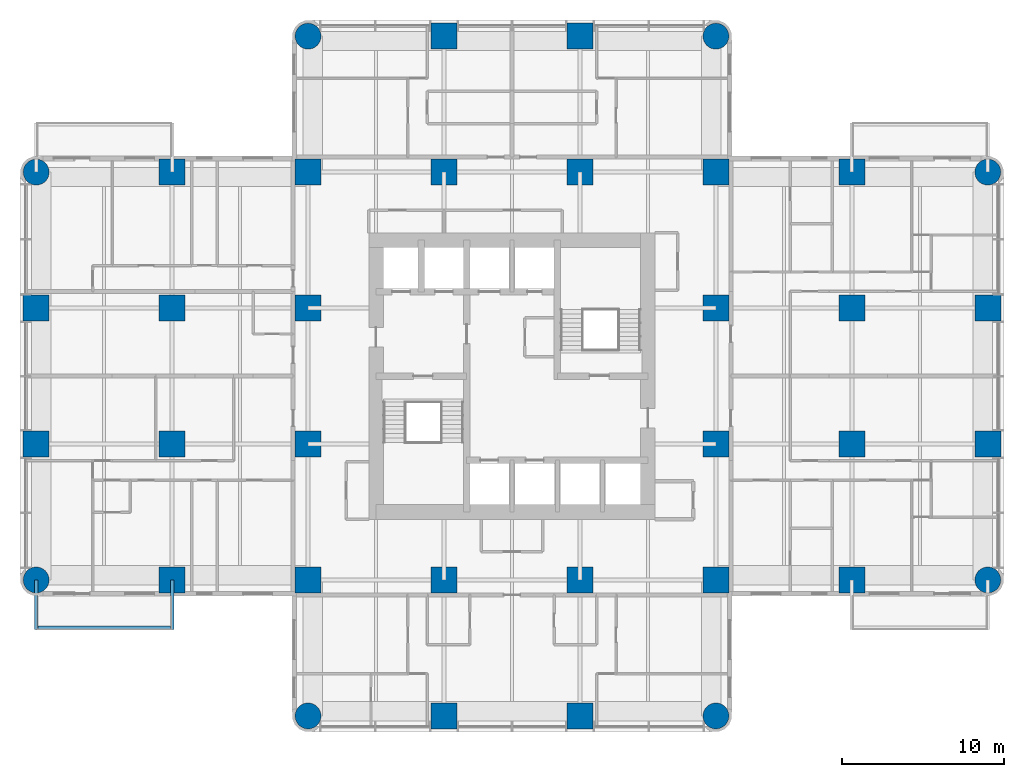
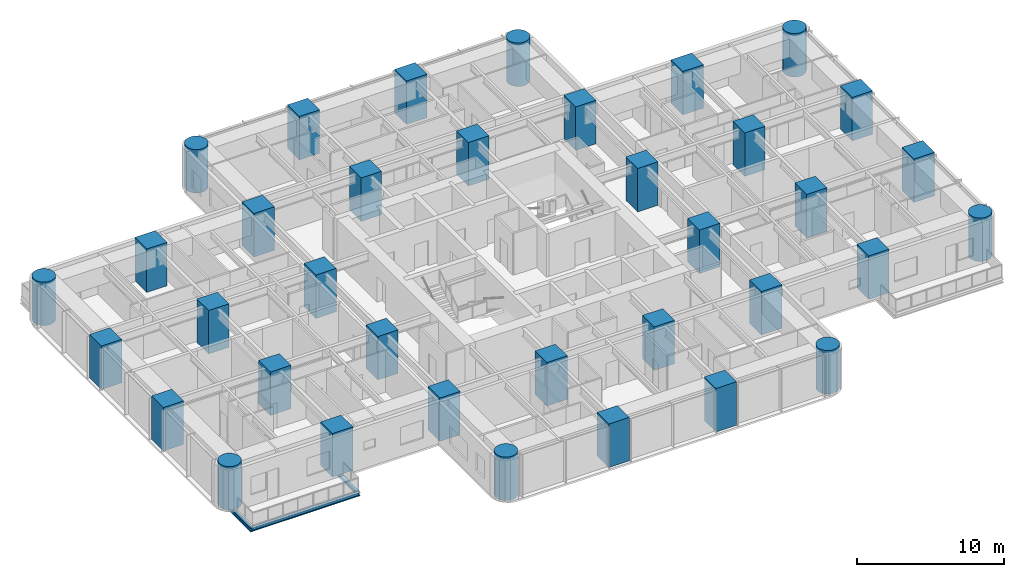
# One storey, part 1 of 15: 36 columns, 3 beams.
"""IFC4 building model written with IfcOpenShell, lengths in metres."""

import ifcopenshell
import ifcopenshell.guid

model = None  # the IFC model being written
_history = None  # IfcOwnerHistory: only IFC2X3 demands one
_inside = {}  # id of a spatial element -> (the spatial element, [elements in it])
_under = {}  # id of a project, library or spatial element -> (it, [spatial elements below it])
_declared = {}  # id of a project -> (the project, [libraries it declares])
_typed = {}  # id of a type object -> (the type object, [elements of that type])
_made_of = {}  # id of a material, layer set ... -> (it, [elements and type objects made of it])


def new_model(schema):
    """Start an empty IFC model of exactly this schema.

    Asked for "IFC4X3", IfcOpenShell would pick the latest addendum, in which some entities
    have other attributes; the version numbers below select the first issue.
    IFC2X3 requires an IfcOwnerHistory on every rooted entity: one is made here for all.
    """
    global model, _history
    if schema == "IFC4X3":
        model = ifcopenshell.file(schema_version=(4, 3, 0, 0))
    else:
        model = ifcopenshell.file(schema=schema)
    _inside.clear()
    _under.clear()
    _declared.clear()
    _typed.clear()
    _made_of.clear()
    _history = None
    if model.schema == "IFC2X3":
        org = make("IfcOrganization", Name="unknown")
        user = make(
            "IfcPersonAndOrganization",
            ThePerson=make("IfcPerson", FamilyName="unknown"),
            TheOrganization=org,
        )
        app = make(
            "IfcApplication",
            ApplicationDeveloper=org,
            Version="unknown",
            ApplicationFullName="unknown",
            ApplicationIdentifier="unknown",
        )
        _history = make(
            "IfcOwnerHistory",
            OwningUser=user,
            OwningApplication=app,
            ChangeAction="ADDED",
            CreationDate=0,
        )
    return model


def make(cls, **values):
    """One entity of the class cls with the attributes given. An attribute that is None is left unset."""
    return model.create_entity(
        cls, **{name: value for name, value in values.items() if value is not None}
    )


def rooted(cls, **values):
    """An entity with a GlobalId (a new one), such as an element, a storey or a relation."""
    return make(cls, GlobalId=ifcopenshell.guid.new(), OwnerHistory=_history, **values)


def si_unit(unit_type, name, prefix=None):
    """IfcSIUnit, for example si_unit("LENGTHUNIT", "METRE", prefix="MILLI")."""
    return make("IfcSIUnit", UnitType=unit_type, Prefix=prefix, Name=name)


def assignment(units):
    """IfcUnitAssignment: the units of a project."""
    return None if units is None else make("IfcUnitAssignment", Units=units)


def point(xyz):
    """IfcCartesianPoint."""
    return None if xyz is None else make("IfcCartesianPoint", Coordinates=xyz)


def direction(xyz):
    """IfcDirection."""
    return None if xyz is None else make("IfcDirection", DirectionRatios=xyz)


def frame(location, z_axis=None, x_axis=None):
    """IfcAxis2Placement3D, a coordinate frame: its origin and axes. An axis left out is left unset."""
    return make(
        "IfcAxis2Placement3D",
        Location=point(location),
        Axis=direction(z_axis),
        RefDirection=direction(x_axis),
    )


def frame_2d(location, x_axis=None):
    """IfcAxis2Placement2D, a coordinate frame in the plane: its origin and x axis."""
    return make(
        "IfcAxis2Placement2D", Location=point(location), RefDirection=direction(x_axis)
    )


def origin():
    """The frame at (0, 0, 0) with its axes left unset."""
    return frame((0.0, 0.0, 0.0))


def origin_2d():
    """The frame at (0, 0) in the plane with its x axis left unset."""
    return frame_2d((0.0, 0.0))


def place(relative_to, where):
    """IfcLocalPlacement: puts the frame where relative to a parent placement (None: the world)."""
    return make(
        "IfcLocalPlacement", PlacementRelTo=relative_to, RelativePlacement=where
    )


def context(
    kind, dimensions, precision=None, world=None, true_north=None, identifier=None
):
    """IfcGeometricRepresentationContext, for example the 3D "Model" context."""
    return make(
        "IfcGeometricRepresentationContext",
        ContextIdentifier=identifier,
        ContextType=kind,
        CoordinateSpaceDimension=dimensions,
        Precision=precision,
        WorldCoordinateSystem=world,
        TrueNorth=true_north,
    )


def subcontext(parent, identifier, kind, view, scale=None):
    """IfcGeometricRepresentationSubContext, for example "Body" below "Model"."""
    return make(
        "IfcGeometricRepresentationSubContext",
        ContextIdentifier=identifier,
        ContextType=kind,
        ParentContext=parent,
        TargetScale=scale,
        TargetView=view,
    )


def project(units=None, contexts=None):
    """IfcProject with its units and contexts."""
    return rooted(
        "IfcProject",
        Name="project",
        RepresentationContexts=contexts,
        UnitsInContext=assignment(units),
    )


def spatial(cls, under=None, at=None, **own):
    """A site, building, storey or space (cls), placed at a placement, below another one or the project."""
    s = rooted(cls, ObjectPlacement=at, **own)
    if under is not None:
        _under.setdefault(under.id(), (under, []))[1].append(s)
    return s


def profile(cls, at=None, kind="AREA", **sizes):
    """A parametric profile (cls). Its sizes go by their IFC names, for example OverallWidth=200.0."""
    return make(cls, ProfileType=kind, Position=at, **sizes)


def rectangle(**sizes):
    """IfcRectangleProfileDef."""
    return profile("IfcRectangleProfileDef", **sizes)


def circle(**sizes):
    """IfcCircleProfileDef."""
    return profile("IfcCircleProfileDef", **sizes)


def i_section(**sizes):
    """IfcIShapeProfileDef."""
    return profile("IfcIShapeProfileDef", **sizes)


def extrude(swept, where, along, depth):
    """IfcExtrudedAreaSolid: the profile swept, set in the frame where, extruded along a direction by depth."""
    return make(
        "IfcExtrudedAreaSolid",
        SweptArea=swept,
        Position=where,
        ExtrudedDirection=direction(along),
        Depth=depth,
    )


def shape(context_of_items, identifier, shape_type, items):
    """IfcShapeRepresentation: the items that make up one representation, for example the "Body"."""
    return make(
        "IfcShapeRepresentation",
        ContextOfItems=context_of_items,
        RepresentationIdentifier=identifier,
        RepresentationType=shape_type,
        Items=items,
    )


def material(Name=None, Category=None):
    """IfcMaterial."""
    return make("IfcMaterial", Name=Name, Category=Category)


def material_profile(
    of_material, cross_section, Name=None, Category=None, Priority=None
):
    """IfcMaterialProfile: a cross section and its material."""
    return make(
        "IfcMaterialProfile",
        Name=Name,
        Material=of_material,
        Profile=cross_section,
        Priority=Priority,
        Category=Category,
    )


def profile_set(profiles, Name=None, composite=None):
    """IfcMaterialProfileSet."""
    return make(
        "IfcMaterialProfileSet",
        Name=Name,
        MaterialProfiles=profiles,
        CompositeProfile=composite,
    )


def made_of(thing, what):
    """Note that an element or type object is made of a material, layer set ...; save() writes the relation."""
    if what is not None:
        _made_of.setdefault(what.id(), (what, []))[1].append(thing)
    return thing


def type_object(cls, material=None, **own):
    """A type object (cls), such as IfcWallType, which elements share."""
    return made_of(rooted(cls, **own), material)


def element(
    cls,
    number,
    at=None,
    inside=None,
    cuts=None,
    type_object=None,
    material=None,
    context=None,
    identifier="Body",
    shape_type=None,
    held_by="IfcProductDefinitionShape",
    body=None,
    shapes=None,
    **own,
):
    """One element of the class cls, such as IfcWall. Its Tag is "e" and its number.

    at: its placement. inside: the storey or other place that contains it. cuts: it is an
    opening in that element (IfcRelVoidsElement). A single representation is given by context,
    identifier, shape_type and body (its items); several are given by shapes. held_by: the class
    of the entity that holds the representations. save() writes the other relations.
    """
    e = rooted(cls, Tag="e%d" % number, ObjectPlacement=at, **own)
    if body is not None:
        shapes = [shape(context, identifier, shape_type, body)]
    if shapes is not None:
        e.Representation = make(held_by, Representations=shapes)
    if inside is not None:
        _inside.setdefault(inside.id(), (inside, []))[1].append(e)
    if cuts is not None:
        rooted(
            "IfcRelVoidsElement", RelatingBuildingElement=cuts, RelatedOpeningElement=e
        )
    if type_object is not None:
        _typed.setdefault(type_object.id(), (type_object, []))[1].append(e)
    return made_of(e, material)


def aggregate(whole, parts):
    """IfcRelAggregates: a whole, such as a stair, and the parts it consists of."""
    return rooted("IfcRelAggregates", RelatingObject=whole, RelatedObjects=parts)


def save(model, path):
    """Write the relations noted so far, then the file.

    IfcRelAggregates (storeys below a building ...), IfcRelContainedInSpatialStructure (elements
    in a storey), IfcRelDefinesByType, IfcRelAssociatesMaterial and IfcRelDeclares: one each for
    every whole, place, type object, material and project.
    """
    for whole, parts in _under.values():
        aggregate(whole, parts)
    for where, things in _inside.values():
        rooted(
            "IfcRelContainedInSpatialStructure",
            RelatedElements=things,
            RelatingStructure=where,
        )
    for kind, things in _typed.values():
        rooted("IfcRelDefinesByType", RelatedObjects=things, RelatingType=kind)
    for what, things in _made_of.values():
        rooted("IfcRelAssociatesMaterial", RelatedObjects=things, RelatingMaterial=what)
    for by, libraries in _declared.values():
        rooted("IfcRelDeclares", RelatingContext=by, RelatedDefinitions=libraries)
    model.write(path)


model = new_model("IFC4")

# Units and contexts
model_context = context("Model", 3, precision=1e-05, world=origin(), true_north=direction((0.0, 1.0)))
body_context = subcontext(model_context, "Body", "Model", "MODEL_VIEW")
ifc_project = project(units=[si_unit("LENGTHUNIT", "METRE"), si_unit("AREAUNIT", "SQUARE_METRE"), si_unit("VOLUMEUNIT", "CUBIC_METRE"), si_unit("PLANEANGLEUNIT", "RADIAN"), si_unit("MASSUNIT", "GRAM", prefix="KILO")], contexts=[model_context])

# Site, building, storey
site_placement = place(None, origin())
site = spatial("IfcSite", under=ifc_project, at=site_placement, CompositionType="ELEMENT")
building_placement = place(site_placement, origin())
building = spatial("IfcBuilding", under=site, at=building_placement, Name="Torre Alcanfor", CompositionType="ELEMENT")
storey_placement = place(building_placement, frame((0.0, 0.0, 119.699951171875)))
storey = spatial("IfcBuildingStorey", under=building, at=storey_placement, Name="L30", CompositionType="ELEMENT", Elevation=119.699951171875)

# Columns
ifc_material_1 = material(Name="Concrete f'c 70 MPa", Category="concrete")
ifc_material_profile_1 = material_profile(ifc_material_1, rectangle(XDim=1.60009765625, YDim=1.60009765625, at=origin_2d()), Name="1600x1600")
ifc_profile_set_1 = profile_set([ifc_material_profile_1], Name="Concrete f'c 70 MPa")
column_type_1 = type_object("IfcColumnType", Name="RC column 1600x1600 f'c70", PredefinedType="COLUMN", material=ifc_profile_set_1)
for number, where, z_axis, x_axis, name in (
    (1, (0.0, 25.199951171875, 0.0), (0.0, 0.0, 1.0), (1.0, 0.0, 0.0), "Column 1/F L30"),
    (2, (0.0, 33.60009765625, 0.0), (0.0, 0.0, 1.0), (1.0, 0.0, 0.0), "Column 1/G L30"),
    (3, (8.39990234375, 16.800048828125, 0.0), (0.0, 0.0, 1.0), (1.0, 0.0, 0.0), "Column 2/E L30"),
    (4, (8.39990234375, 25.199951171875, 0.0), (0.0, 0.0, 1.0), (1.0, 0.0, 0.0), "Column 2/F L30"),
    (5, (8.39990234375, 33.60009765625, 0.0), (0.0, 0.0, 1.0), (1.0, 0.0, 0.0), "Column 2/G L30"),
    (6, (8.39990234375, 42.0, 0.0), (0.0, 0.0, 1.0), (1.0, 0.0, 0.0), "Column 2/H L30"),
    (7, (16.800048828125, 16.800048828125, 0.0), (0.0, 0.0, 1.0), (1.0, 0.0, 0.0), "Column 3/E L30"),
    (8, (16.800048828125, 25.199951171875, 0.0), (0.0, 0.0, 1.0), (1.0, 0.0, 0.0), "Column 3/F L30"),
    (9, (16.800048828125, 33.60009765625, 0.0), (0.0, 0.0, 1.0), (1.0, 0.0, 0.0), "Column 3/G L30"),
    (10, (16.800048828125, 42.0, 0.0), (0.0, 0.0, 1.0), (1.0, 0.0, 0.0), "Column 3/H L30"),
    (11, (25.199951171875, 8.39990234375, 0.0), (0.0, 0.0, 1.0), (1.0, 0.0, 0.0), "Column 4/D L30"),
    (12, (25.199951171875, 16.800048828125, 0.0), (0.0, 0.0, 1.0), (1.0, 0.0, 0.0), "Column 4/E L30"),
    (13, (25.199951171875, 42.0, 0.0), (0.0, 0.0, 1.0), (1.0, 0.0, 0.0), "Column 4/H L30"),
    (14, (25.199951171875, 50.39990234375, 0.0), (0.0, 0.0, 1.0), (1.0, 0.0, 0.0), "Column 4/J L30"),
    (15, (33.60009765625, 8.39990234375, 0.0), (0.0, 0.0, 1.0), (1.0, 0.0, 0.0), "Column 5/D L30"),
    (16, (33.60009765625, 16.800048828125, 0.0), (0.0, 0.0, 1.0), (1.0, 0.0, 0.0), "Column 5/E L30"),
    (17, (33.60009765625, 42.0, 0.0), (0.0, 0.0, 1.0), (1.0, 0.0, 0.0), "Column 5/H L30"),
    (18, (33.60009765625, 50.39990234375, 0.0), (0.0, 0.0, 1.0), (1.0, 0.0, 0.0), "Column 5/J L30"),
    (19, (42.0, 16.800048828125, 0.0), (0.0, 0.0, 1.0), (1.0, 0.0, 0.0), "Column 6/E L30"),
    (20, (42.0, 25.199951171875, 0.0), (0.0, 0.0, 1.0), (1.0, 0.0, 0.0), "Column 6/F L30"),
    (21, (42.0, 33.60009765625, 0.0), (0.0, 0.0, 1.0), (1.0, 0.0, 0.0), "Column 6/G L30"),
    (22, (42.0, 42.0, 0.0), (0.0, 0.0, 1.0), (1.0, 0.0, 0.0), "Column 6/H L30"),
    (23, (50.39990234375, 16.800048828125, 0.0), (0.0, 0.0, 1.0), (1.0, 0.0, 0.0), "Column 7/E L30"),
    (24, (50.39990234375, 25.199951171875, 0.0), (0.0, 0.0, 1.0), (1.0, 0.0, 0.0), "Column 7/F L30"),
    (25, (50.39990234375, 33.60009765625, 0.0), (0.0, 0.0, 1.0), (1.0, 0.0, 0.0), "Column 7/G L30"),
    (26, (50.39990234375, 42.0, 0.0), (0.0, 0.0, 1.0), (1.0, 0.0, 0.0), "Column 7/H L30"),
    (27, (58.800048828125, 25.199951171875, 0.0), (0.0, 0.0, 1.0), (1.0, 0.0, 0.0), "Column 8/F L30"),
    (28, (58.800048828125, 33.60009765625, 0.0), (0.0, 0.0, 1.0), (1.0, 0.0, 0.0), "Column 8/G L30"),
):
    element("IfcColumn", number, at=place(storey_placement, frame(where, z_axis=z_axis, x_axis=x_axis)), inside=storey, type_object=column_type_1, Name=name, PredefinedType="COLUMN", context=body_context, shape_type="SweptSolid", body=[
        extrude(rectangle(XDim=1.60009765625, YDim=1.60009765625, at=origin_2d()), origin(), (0.0, 0.0, 1.0), 3.60009765625),
    ])
ifc_material_2 = material(Name="Concrete f'c 70 MPa", Category="concrete")
ifc_material_profile_2 = material_profile(ifc_material_2, circle(Radius=0.800048828125, at=origin_2d()), Name="D1600")
ifc_profile_set_2 = profile_set([ifc_material_profile_2], Name="Concrete f'c 70 MPa")
column_type_2 = type_object("IfcColumnType", Name="RC column D1600 f'c70", PredefinedType="COLUMN", material=ifc_profile_set_2)
for number, where, z_axis, x_axis, name in (
    (29, (0.0, 16.800048828125, 0.0), (0.0, 0.0, 1.0), (1.0, 0.0, 0.0), "Column 1/E L30"),
    (30, (0.0, 42.0, 0.0), (0.0, 0.0, 1.0), (1.0, 0.0, 0.0), "Column 1/H L30"),
    (31, (16.800048828125, 8.39990234375, 0.0), (0.0, 0.0, 1.0), (1.0, 0.0, 0.0), "Column 3/D L30"),
    (32, (16.800048828125, 50.39990234375, 0.0), (0.0, 0.0, 1.0), (1.0, 0.0, 0.0), "Column 3/J L30"),
    (33, (42.0, 8.39990234375, 0.0), (0.0, 0.0, 1.0), (1.0, 0.0, 0.0), "Column 6/D L30"),
    (34, (42.0, 50.39990234375, 0.0), (0.0, 0.0, 1.0), (1.0, 0.0, 0.0), "Column 6/J L30"),
    (35, (58.800048828125, 16.800048828125, 0.0), (0.0, 0.0, 1.0), (1.0, 0.0, 0.0), "Column 8/E L30"),
    (36, (58.800048828125, 42.0, 0.0), (0.0, 0.0, 1.0), (1.0, 0.0, 0.0), "Column 8/H L30"),
):
    element("IfcColumn", number, at=place(storey_placement, frame(where, z_axis=z_axis, x_axis=x_axis)), inside=storey, type_object=column_type_2, Name=name, PredefinedType="COLUMN", context=body_context, shape_type="SweptSolid", body=[
        extrude(circle(Radius=0.800048828125, at=origin_2d()), origin(), (0.0, 0.0, 1.0), 3.60009765625),
    ])

# Beams
ifc_material_3 = material(Name="Steel ASTM A992 Grade 50", Category="steel")
ifc_material_profile_3 = material_profile(ifc_material_3, i_section(OverallWidth=0.205322265625, OverallDepth=0.309814453125, WebThickness=0.00927734375, FlangeThickness=0.016357421875, at=origin_2d()), Name="W12x50")
ifc_profile_set_3 = profile_set([ifc_material_profile_3], Name="Steel ASTM A992 Grade 50")
beam_type_1 = type_object("IfcBeamType", Name="Balcony cantilever beam W12x50", PredefinedType="BEAM", material=ifc_profile_set_3)
for number, where, z_axis, x_axis, name in (
    (37, (8.39990234375, 16.800048828125, -0.35498046875), (0.0, -1.0, 0.0), (1.0, 0.0, 0.0), "Balcony cantilever beam L30-W1 1"),
    (38, (0.0, 16.800048828125, -0.35498046875), (0.0, -1.0, 0.0), (1.0, 0.0, 0.0), "Balcony cantilever beam L30-W1 2"),
):
    element("IfcBeam", number, at=place(storey_placement, frame(where, z_axis=z_axis, x_axis=x_axis)), inside=storey, type_object=beam_type_1, Name=name, PredefinedType="BEAM", context=body_context, shape_type="SweptSolid", body=[
        extrude(i_section(OverallWidth=0.205322265625, OverallDepth=0.309814453125, WebThickness=0.00927734375, FlangeThickness=0.016357421875, at=origin_2d()), origin(), (0.0, 0.0, 1.0), 3.050048828125),
    ])
ifc_material_4 = material(Name="Steel ASTM A992 Grade 50", Category="steel")
ifc_material_profile_4 = material_profile(ifc_material_4, i_section(OverallWidth=0.203369140625, OverallDepth=0.30224609375, WebThickness=0.007568359375, FlangeThickness=0.01318359375, at=origin_2d()), Name="W12x40")
ifc_profile_set_4 = profile_set([ifc_material_profile_4], Name="Steel ASTM A992 Grade 50")
beam_type_2 = type_object("IfcBeamType", Name="Balcony edge trimmer W12x40", PredefinedType="BEAM", material=ifc_profile_set_4)
beam_placement = place(storey_placement, frame((8.39990234375, 13.851806640625, -0.35107421875), z_axis=(-1.0, 0.0, 0.0), x_axis=(0.0, -1.0, 0.0)))
element("IfcBeam", 39, at=beam_placement, inside=storey, type_object=beam_type_2, Name="Balcony edge trimmer L30-W1", PredefinedType="BEAM", context=body_context, shape_type="SweptSolid", body=[
    extrude(i_section(OverallWidth=0.203369140625, OverallDepth=0.30224609375, WebThickness=0.007568359375, FlangeThickness=0.01318359375, at=origin_2d()), origin(), (0.0, 0.0, 1.0), 8.39990234375),
])

save(model, "model.ifc")
